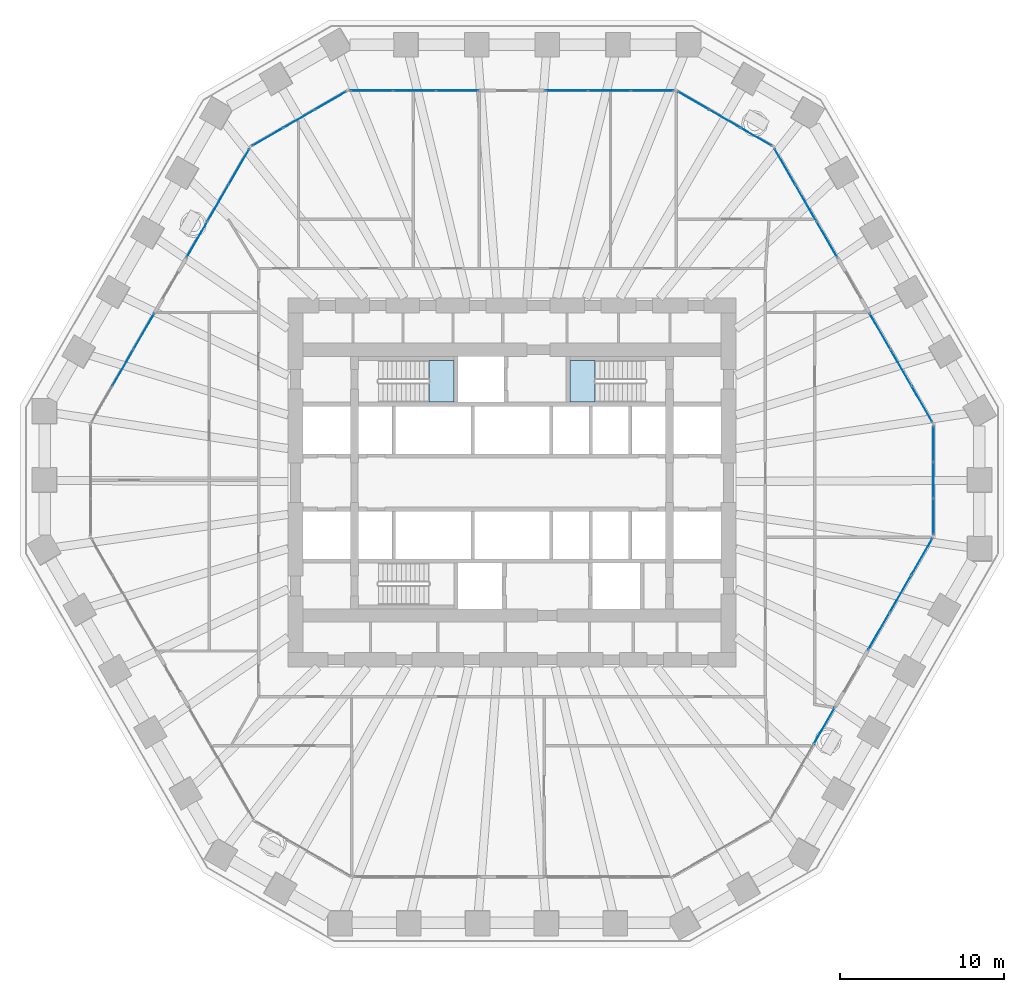
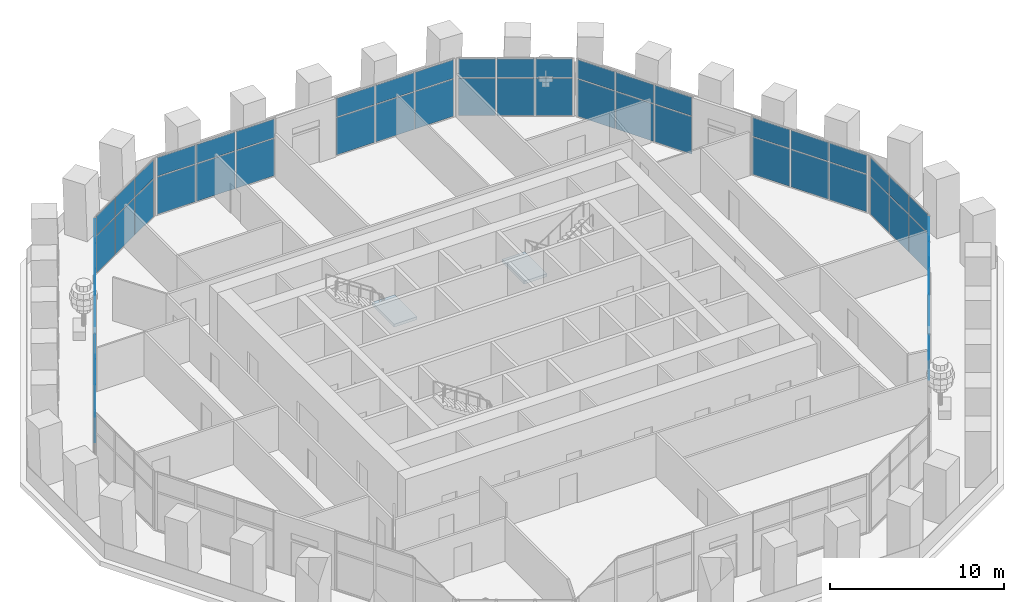
# One storey, part 10 of 18: 59 plates, 2 slabs, 13 elements without a shape of their own.
"""IFC4 building model written with IfcOpenShell, lengths in metres."""

from ifc_helpers import new_model, si_unit, direction, frame, origin, origin_2d, place, context, subcontext, project, spatial, polyline, rectangle, outline, extrude, material, layer, layer_set, type_object, element, aggregate, save


model = new_model("IFC4")

# Units and contexts
model_context = context("Model", 3, precision=1e-05, world=origin(), true_north=direction((0.0, 1.0)))
body_context = subcontext(model_context, "Body", "Model", "MODEL_VIEW")
ifc_project = project(units=[si_unit("LENGTHUNIT", "METRE"), si_unit("AREAUNIT", "SQUARE_METRE"), si_unit("VOLUMEUNIT", "CUBIC_METRE"), si_unit("PLANEANGLEUNIT", "RADIAN"), si_unit("MASSUNIT", "GRAM", prefix="KILO")], contexts=[model_context])

# Site, building, storey
site_placement = place(None, origin())
site = spatial("IfcSite", under=ifc_project, at=site_placement, CompositionType="ELEMENT")
building_placement = place(site_placement, origin())
building = spatial("IfcBuilding", under=site, at=building_placement, Name="Frailejon Research Tower", CompositionType="ELEMENT")
storey_placement = place(building_placement, frame((0.0, 0.0, 19.0)))
storey = spatial("IfcBuildingStorey", under=building, at=storey_placement, Name="L04", CompositionType="ELEMENT", Elevation=19.0)

# Curtain wall, plates
ifc_material_1 = material(Name="Aluminium curtain wall", Category="aluminium")
curtain_wall_type = type_object("IfcCurtainWallType", Name="Base zone unitised curtain wall system", PredefinedType="NOTDEFINED", material=ifc_material_1)
curtain_wall_1_placement = place(storey_placement, origin())
curtain_wall_1 = element("IfcCurtainWall", 1, at=curtain_wall_1_placement, inside=storey, type_object=curtain_wall_type, Name="Curtain wall L04", PredefinedType="NOTDEFINED")
ifc_material_2 = material(Name="Clear laminated glass", Category="glass")
ifc_layer_1 = layer(ifc_material_2, 0.028076171875)
ifc_layer_set_1 = layer_set([ifc_layer_1], Name="Base zone unitised curtain wall glass panel 28")
plate_type = type_object("IfcPlateType", Name="Base zone unitised curtain wall glass panel 28", PredefinedType="CURTAIN_PANEL", material=ifc_layer_set_1)
plate_1_placement = place(storey_placement, frame((25.692626953125, -2.071533203125, 0.06005859375), z_axis=(0.0, 0.0, 1.0), x_axis=(0.0, 1.0, 0.0)))
plate_1 = element("IfcPlate", 2, at=plate_1_placement, type_object=plate_type, Name="CW3-063 panel 1.1", PredefinedType="CURTAIN_PANEL", context=body_context, shape_type="SweptSolid", body=[
    extrude(rectangle(XDim=2.134765625, YDim=0.028076171875, at=origin_2d()), origin(), (0.0, 0.0, 1.0), 2.610107421875),
])
plate_2_placement = place(storey_placement, frame((25.692626953125, -2.071533203125, 2.72998046875), z_axis=(0.0, 0.0, 1.0), x_axis=(0.0, 1.0, 0.0)))
plate_2 = element("IfcPlate", 3, at=plate_2_placement, type_object=plate_type, Name="CW3-063 panel 1.2", PredefinedType="CURTAIN_PANEL", context=body_context, shape_type="SweptSolid", body=[
    extrude(rectangle(XDim=2.134765625, YDim=0.028076171875, at=origin_2d()), origin(), (0.0, 0.0, 1.0), 1.31005859375),
])
plate_3_placement = place(storey_placement, frame((25.692626953125, 0.13818359375, 0.06005859375), z_axis=(0.0, 0.0, 1.0), x_axis=(0.0, 1.0, 0.0)))
plate_3 = element("IfcPlate", 4, at=plate_3_placement, type_object=plate_type, Name="CW3-063 panel 2.1", PredefinedType="CURTAIN_PANEL", context=body_context, shape_type="SweptSolid", body=[
    extrude(rectangle(XDim=2.164794921875, YDim=0.028076171875, at=origin_2d()), origin(), (0.0, 0.0, 1.0), 2.610107421875),
])
plate_4_placement = place(storey_placement, frame((25.692626953125, 0.13818359375, 2.72998046875), z_axis=(0.0, 0.0, 1.0), x_axis=(0.0, 1.0, 0.0)))
plate_4 = element("IfcPlate", 5, at=plate_4_placement, type_object=plate_type, Name="CW3-063 panel 2.2", PredefinedType="CURTAIN_PANEL", context=body_context, shape_type="SweptSolid", body=[
    extrude(rectangle(XDim=2.164794921875, YDim=0.028076171875, at=origin_2d()), origin(), (0.0, 0.0, 1.0), 1.31005859375),
])
plate_5_placement = place(storey_placement, frame((25.692626953125, 2.34814453125, 0.06005859375), z_axis=(0.0, 0.0, 1.0), x_axis=(0.0, 1.0, 0.0)))
plate_5 = element("IfcPlate", 6, at=plate_5_placement, type_object=plate_type, Name="CW3-063 panel 3.1", PredefinedType="CURTAIN_PANEL", context=body_context, shape_type="SweptSolid", body=[
    extrude(rectangle(XDim=2.134765625, YDim=0.028076171875, at=origin_2d()), origin(), (0.0, 0.0, 1.0), 2.610107421875),
])
plate_6_placement = place(storey_placement, frame((25.692626953125, 2.34814453125, 2.72998046875), z_axis=(0.0, 0.0, 1.0), x_axis=(0.0, 1.0, 0.0)))
plate_6 = element("IfcPlate", 7, at=plate_6_placement, type_object=plate_type, Name="CW3-063 panel 3.2", PredefinedType="CURTAIN_PANEL", context=body_context, shape_type="SweptSolid", body=[
    extrude(rectangle(XDim=2.134765625, YDim=0.028076171875, at=origin_2d()), origin(), (0.0, 0.0, 1.0), 1.31005859375),
])
aggregate(curtain_wall_1, [plate_1, plate_2, plate_3, plate_4, plate_5, plate_6])

curtain_wall_2_placement = place(storey_placement, origin())
curtain_wall_2 = element("IfcCurtainWall", 8, at=curtain_wall_2_placement, inside=storey, type_object=curtain_wall_type, Name="Curtain wall L04", PredefinedType="NOTDEFINED")
plate_7_placement = place(storey_placement, frame((24.993408203125, 4.78662109375, 0.06005859375), z_axis=(0.0, 0.0, 1.0), x_axis=(-0.50000125994, 0.866024676356, 0.0)))
plate_7 = element("IfcPlate", 9, at=plate_7_placement, type_object=plate_type, Name="CW3-064 panel 1.1", PredefinedType="CURTAIN_PANEL", context=body_context, shape_type="SweptSolid", body=[
    extrude(rectangle(XDim=2.4765625, YDim=0.028076171875, at=origin_2d()), origin(), (0.0, 0.0, 1.0), 2.610107421875),
])
plate_8_placement = place(storey_placement, frame((24.993408203125, 4.78662109375, 2.72998046875), z_axis=(0.0, 0.0, 1.0), x_axis=(-0.50000125994, 0.866024676356, 0.0)))
plate_8 = element("IfcPlate", 10, at=plate_8_placement, type_object=plate_type, Name="CW3-064 panel 1.2", PredefinedType="CURTAIN_PANEL", context=body_context, shape_type="SweptSolid", body=[
    extrude(rectangle(XDim=2.4765625, YDim=0.028076171875, at=origin_2d()), origin(), (0.0, 0.0, 1.0), 1.31005859375),
])
plate_9_placement = place(storey_placement, frame((23.717529296875, 6.996337890625, 0.06005859375), z_axis=(0.0, 0.0, 1.0), x_axis=(-0.50000125994, 0.866024676356, 0.0)))
plate_9 = element("IfcPlate", 11, at=plate_9_placement, type_object=plate_type, Name="CW3-064 panel 2.1", PredefinedType="CURTAIN_PANEL", context=body_context, shape_type="SweptSolid", body=[
    extrude(rectangle(XDim=2.506591796875, YDim=0.028076171875, at=origin_2d()), origin(), (0.0, 0.0, 1.0), 2.610107421875),
])
plate_10_placement = place(storey_placement, frame((23.717529296875, 6.996337890625, 2.72998046875), z_axis=(0.0, 0.0, 1.0), x_axis=(-0.50000125994, 0.866024676356, 0.0)))
plate_10 = element("IfcPlate", 12, at=plate_10_placement, type_object=plate_type, Name="CW3-064 panel 2.2", PredefinedType="CURTAIN_PANEL", context=body_context, shape_type="SweptSolid", body=[
    extrude(rectangle(XDim=2.506591796875, YDim=0.028076171875, at=origin_2d()), origin(), (0.0, 0.0, 1.0), 1.31005859375),
])
plate_11_placement = place(storey_placement, frame((22.44189453125, 9.2060546875, 0.06005859375), z_axis=(0.0, 0.0, 1.0), x_axis=(-0.50000125994, 0.866024676356, 0.0)))
plate_11 = element("IfcPlate", 13, at=plate_11_placement, type_object=plate_type, Name="CW3-064 panel 3.1", PredefinedType="CURTAIN_PANEL", context=body_context, shape_type="SweptSolid", body=[
    extrude(rectangle(XDim=2.4765625, YDim=0.028076171875, at=origin_2d()), origin(), (0.0, 0.0, 1.0), 2.610107421875),
])
plate_12_placement = place(storey_placement, frame((22.44189453125, 9.2060546875, 2.72998046875), z_axis=(0.0, 0.0, 1.0), x_axis=(-0.50000125994, 0.866024676356, 0.0)))
plate_12 = element("IfcPlate", 14, at=plate_12_placement, type_object=plate_type, Name="CW3-064 panel 3.2", PredefinedType="CURTAIN_PANEL", context=body_context, shape_type="SweptSolid", body=[
    extrude(rectangle(XDim=2.4765625, YDim=0.028076171875, at=origin_2d()), origin(), (0.0, 0.0, 1.0), 1.31005859375),
])
aggregate(curtain_wall_2, [plate_7, plate_8, plate_9, plate_10, plate_11, plate_12])

curtain_wall_3_placement = place(storey_placement, origin())
curtain_wall_3 = element("IfcCurtainWall", 15, at=curtain_wall_3_placement, inside=storey, type_object=curtain_wall_type, Name="Curtain wall L04", PredefinedType="NOTDEFINED")
plate_13_placement = place(storey_placement, frame((19.193603515625, 14.832275390625, 0.06005859375), z_axis=(0.0, 0.0, 1.0), x_axis=(-0.49999563628, 0.866027923165, 0.0)))
plate_13 = element("IfcPlate", 16, at=plate_13_placement, type_object=plate_type, Name="CW3-065 panel 1.1", PredefinedType="CURTAIN_PANEL", context=body_context, shape_type="SweptSolid", body=[
    extrude(rectangle(XDim=2.4765625, YDim=0.028076171875, at=origin_2d()), origin(), (0.0, 0.0, 1.0), 2.610107421875),
])
plate_14_placement = place(storey_placement, frame((19.193603515625, 14.832275390625, 2.72998046875), z_axis=(0.0, 0.0, 1.0), x_axis=(-0.49999563628, 0.866027923165, 0.0)))
plate_14 = element("IfcPlate", 17, at=plate_14_placement, type_object=plate_type, Name="CW3-065 panel 1.2", PredefinedType="CURTAIN_PANEL", context=body_context, shape_type="SweptSolid", body=[
    extrude(rectangle(XDim=2.4765625, YDim=0.028076171875, at=origin_2d()), origin(), (0.0, 0.0, 1.0), 1.31005859375),
])
plate_15_placement = place(storey_placement, frame((17.91796875, 17.0419921875, 0.06005859375), z_axis=(0.0, 0.0, 1.0), x_axis=(-0.49999563628, 0.866027923165, 0.0)))
plate_15 = element("IfcPlate", 18, at=plate_15_placement, type_object=plate_type, Name="CW3-065 panel 2.1", PredefinedType="CURTAIN_PANEL", context=body_context, shape_type="SweptSolid", body=[
    extrude(rectangle(XDim=2.506591796875, YDim=0.028076171875, at=origin_2d()), origin(), (0.0, 0.0, 1.0), 2.610107421875),
])
plate_16_placement = place(storey_placement, frame((17.91796875, 17.0419921875, 2.72998046875), z_axis=(0.0, 0.0, 1.0), x_axis=(-0.49999563628, 0.866027923165, 0.0)))
plate_16 = element("IfcPlate", 19, at=plate_16_placement, type_object=plate_type, Name="CW3-065 panel 2.2", PredefinedType="CURTAIN_PANEL", context=body_context, shape_type="SweptSolid", body=[
    extrude(rectangle(XDim=2.506591796875, YDim=0.028076171875, at=origin_2d()), origin(), (0.0, 0.0, 1.0), 1.31005859375),
])
plate_17_placement = place(storey_placement, frame((16.64208984375, 19.251708984375, 0.06005859375), z_axis=(0.0, 0.0, 1.0), x_axis=(-0.49999563628, 0.866027923165, 0.0)))
plate_17 = element("IfcPlate", 20, at=plate_17_placement, type_object=plate_type, Name="CW3-065 panel 3.1", PredefinedType="CURTAIN_PANEL", context=body_context, shape_type="SweptSolid", body=[
    extrude(rectangle(XDim=2.4765625, YDim=0.028076171875, at=origin_2d()), origin(), (0.0, 0.0, 1.0), 2.610107421875),
])
plate_18_placement = place(storey_placement, frame((16.64208984375, 19.251708984375, 2.72998046875), z_axis=(0.0, 0.0, 1.0), x_axis=(-0.49999563628, 0.866027923165, 0.0)))
plate_18 = element("IfcPlate", 21, at=plate_18_placement, type_object=plate_type, Name="CW3-065 panel 3.2", PredefinedType="CURTAIN_PANEL", context=body_context, shape_type="SweptSolid", body=[
    extrude(rectangle(XDim=2.4765625, YDim=0.028076171875, at=origin_2d()), origin(), (0.0, 0.0, 1.0), 1.31005859375),
])
aggregate(curtain_wall_3, [plate_13, plate_14, plate_15, plate_16, plate_17, plate_18])

curtain_wall_4_placement = place(storey_placement, origin())
curtain_wall_4 = element("IfcCurtainWall", 22, at=curtain_wall_4_placement, inside=storey, type_object=curtain_wall_type, Name="Curtain wall L04", PredefinedType="NOTDEFINED")
plate_19_placement = place(storey_placement, frame((14.8798828125, 21.076416015625, 0.06005859375), z_axis=(0.0, 0.0, 1.0), x_axis=(-0.866026409075, 0.499998258782, 0.0)))
plate_19 = element("IfcPlate", 23, at=plate_19_placement, type_object=plate_type, Name="CW3-066 panel 1.1", PredefinedType="CURTAIN_PANEL", context=body_context, shape_type="SweptSolid", body=[
    extrude(rectangle(XDim=2.134765625, YDim=0.028076171875, at=origin_2d()), origin(), (0.0, 0.0, 1.0), 2.610107421875),
])
plate_20_placement = place(storey_placement, frame((14.8798828125, 21.076416015625, 2.72998046875), z_axis=(0.0, 0.0, 1.0), x_axis=(-0.866026409075, 0.499998258782, 0.0)))
plate_20 = element("IfcPlate", 24, at=plate_20_placement, type_object=plate_type, Name="CW3-066 panel 1.2", PredefinedType="CURTAIN_PANEL", context=body_context, shape_type="SweptSolid", body=[
    extrude(rectangle(XDim=2.134765625, YDim=0.028076171875, at=origin_2d()), origin(), (0.0, 0.0, 1.0), 1.31005859375),
])
plate_21_placement = place(storey_placement, frame((12.966064453125, 22.181396484375, 0.06005859375), z_axis=(0.0, 0.0, 1.0), x_axis=(-0.866026409075, 0.499998258782, 0.0)))
plate_21 = element("IfcPlate", 25, at=plate_21_placement, type_object=plate_type, Name="CW3-066 panel 2.1", PredefinedType="CURTAIN_PANEL", context=body_context, shape_type="SweptSolid", body=[
    extrude(rectangle(XDim=2.164794921875, YDim=0.028076171875, at=origin_2d()), origin(), (0.0, 0.0, 1.0), 2.610107421875),
])
plate_22_placement = place(storey_placement, frame((12.966064453125, 22.181396484375, 2.72998046875), z_axis=(0.0, 0.0, 1.0), x_axis=(-0.866026409075, 0.499998258782, 0.0)))
plate_22 = element("IfcPlate", 26, at=plate_22_placement, type_object=plate_type, Name="CW3-066 panel 2.2", PredefinedType="CURTAIN_PANEL", context=body_context, shape_type="SweptSolid", body=[
    extrude(rectangle(XDim=2.164794921875, YDim=0.028076171875, at=origin_2d()), origin(), (0.0, 0.0, 1.0), 1.31005859375),
])
plate_23_placement = place(storey_placement, frame((11.05224609375, 23.286376953125, 0.06005859375), z_axis=(0.0, 0.0, 1.0), x_axis=(-0.866026409075, 0.499998258782, 0.0)))
plate_23 = element("IfcPlate", 27, at=plate_23_placement, type_object=plate_type, Name="CW3-066 panel 3.1", PredefinedType="CURTAIN_PANEL", context=body_context, shape_type="SweptSolid", body=[
    extrude(rectangle(XDim=2.134765625, YDim=0.028076171875, at=origin_2d()), origin(), (0.0, 0.0, 1.0), 2.610107421875),
])
plate_24_placement = place(storey_placement, frame((11.05224609375, 23.286376953125, 2.72998046875), z_axis=(0.0, 0.0, 1.0), x_axis=(-0.866026409075, 0.499998258782, 0.0)))
plate_24 = element("IfcPlate", 28, at=plate_24_placement, type_object=plate_type, Name="CW3-066 panel 3.2", PredefinedType="CURTAIN_PANEL", context=body_context, shape_type="SweptSolid", body=[
    extrude(rectangle(XDim=2.134765625, YDim=0.028076171875, at=origin_2d()), origin(), (0.0, 0.0, 1.0), 1.31005859375),
])
aggregate(curtain_wall_4, [plate_19, plate_20, plate_21, plate_22, plate_23, plate_24])

curtain_wall_5_placement = place(storey_placement, origin())
curtain_wall_5 = element("IfcCurtainWall", 29, at=curtain_wall_5_placement, inside=storey, type_object=curtain_wall_type, Name="Curtain wall L04", PredefinedType="NOTDEFINED")
plate_25_placement = place(storey_placement, frame((8.55908203125, 23.89990234375, 0.06005859375), z_axis=(0.0, 0.0, 1.0), x_axis=(-1.0, 0.0, 0.0)))
plate_25 = element("IfcPlate", 30, at=plate_25_placement, type_object=plate_type, Name="CW3-067 panel 1.1", PredefinedType="CURTAIN_PANEL", context=body_context, shape_type="SweptSolid", body=[
    extrude(rectangle(XDim=2.54052734375, YDim=0.028076171875, at=origin_2d()), origin(), (0.0, 0.0, 1.0), 2.610107421875),
])
plate_26_placement = place(storey_placement, frame((8.55908203125, 23.89990234375, 2.72998046875), z_axis=(0.0, 0.0, 1.0), x_axis=(-1.0, 0.0, 0.0)))
plate_26 = element("IfcPlate", 31, at=plate_26_placement, type_object=plate_type, Name="CW3-067 panel 1.2", PredefinedType="CURTAIN_PANEL", context=body_context, shape_type="SweptSolid", body=[
    extrude(rectangle(XDim=2.54052734375, YDim=0.028076171875, at=origin_2d()), origin(), (0.0, 0.0, 1.0), 1.31005859375),
])
plate_27_placement = place(storey_placement, frame((5.943603515625, 23.89990234375, 0.06005859375), z_axis=(0.0, 0.0, 1.0), x_axis=(-1.0, 0.0, 0.0)))
plate_27 = element("IfcPlate", 32, at=plate_27_placement, type_object=plate_type, Name="CW3-067 panel 2.1", PredefinedType="CURTAIN_PANEL", context=body_context, shape_type="SweptSolid", body=[
    extrude(rectangle(XDim=2.570556640625, YDim=0.028076171875, at=origin_2d()), origin(), (0.0, 0.0, 1.0), 2.610107421875),
])
plate_28_placement = place(storey_placement, frame((5.943603515625, 23.89990234375, 2.72998046875), z_axis=(0.0, 0.0, 1.0), x_axis=(-1.0, 0.0, 0.0)))
plate_28 = element("IfcPlate", 33, at=plate_28_placement, type_object=plate_type, Name="CW3-067 panel 2.2", PredefinedType="CURTAIN_PANEL", context=body_context, shape_type="SweptSolid", body=[
    extrude(rectangle(XDim=2.570556640625, YDim=0.028076171875, at=origin_2d()), origin(), (0.0, 0.0, 1.0), 1.31005859375),
])
plate_29_placement = place(storey_placement, frame((3.328125, 23.89990234375, 0.06005859375), z_axis=(0.0, 0.0, 1.0), x_axis=(-1.0, 0.0, 0.0)))
plate_29 = element("IfcPlate", 34, at=plate_29_placement, type_object=plate_type, Name="CW3-067 panel 3.1", PredefinedType="CURTAIN_PANEL", context=body_context, shape_type="SweptSolid", body=[
    extrude(rectangle(XDim=2.54052734375, YDim=0.028076171875, at=origin_2d()), origin(), (0.0, 0.0, 1.0), 2.610107421875),
])
plate_30_placement = place(storey_placement, frame((3.328125, 23.89990234375, 2.72998046875), z_axis=(0.0, 0.0, 1.0), x_axis=(-1.0, 0.0, 0.0)))
plate_30 = element("IfcPlate", 35, at=plate_30_placement, type_object=plate_type, Name="CW3-067 panel 3.2", PredefinedType="CURTAIN_PANEL", context=body_context, shape_type="SweptSolid", body=[
    extrude(rectangle(XDim=2.54052734375, YDim=0.028076171875, at=origin_2d()), origin(), (0.0, 0.0, 1.0), 1.31005859375),
])
aggregate(curtain_wall_5, [plate_25, plate_26, plate_27, plate_28, plate_29, plate_30])

curtain_wall_6_placement = place(storey_placement, origin())
curtain_wall_6 = element("IfcCurtainWall", 36, at=curtain_wall_6_placement, inside=storey, type_object=curtain_wall_type, Name="Curtain wall L04", PredefinedType="NOTDEFINED")
plate_31_placement = place(storey_placement, frame((-3.328125, 23.89990234375, 0.06005859375), z_axis=(0.0, 0.0, 1.0), x_axis=(-1.0, 0.0, 0.0)))
plate_31 = element("IfcPlate", 37, at=plate_31_placement, type_object=plate_type, Name="CW3-068 panel 1.1", PredefinedType="CURTAIN_PANEL", context=body_context, shape_type="SweptSolid", body=[
    extrude(rectangle(XDim=2.54052734375, YDim=0.028076171875, at=origin_2d()), origin(), (0.0, 0.0, 1.0), 2.610107421875),
])
plate_32_placement = place(storey_placement, frame((-3.328125, 23.89990234375, 2.72998046875), z_axis=(0.0, 0.0, 1.0), x_axis=(-1.0, 0.0, 0.0)))
plate_32 = element("IfcPlate", 38, at=plate_32_placement, type_object=plate_type, Name="CW3-068 panel 1.2", PredefinedType="CURTAIN_PANEL", context=body_context, shape_type="SweptSolid", body=[
    extrude(rectangle(XDim=2.54052734375, YDim=0.028076171875, at=origin_2d()), origin(), (0.0, 0.0, 1.0), 1.31005859375),
])
plate_33_placement = place(storey_placement, frame((-5.943603515625, 23.89990234375, 0.06005859375), z_axis=(0.0, 0.0, 1.0), x_axis=(-1.0, 0.0, 0.0)))
plate_33 = element("IfcPlate", 39, at=plate_33_placement, type_object=plate_type, Name="CW3-068 panel 2.1", PredefinedType="CURTAIN_PANEL", context=body_context, shape_type="SweptSolid", body=[
    extrude(rectangle(XDim=2.570556640625, YDim=0.028076171875, at=origin_2d()), origin(), (0.0, 0.0, 1.0), 2.610107421875),
])
plate_34_placement = place(storey_placement, frame((-5.943603515625, 23.89990234375, 2.72998046875), z_axis=(0.0, 0.0, 1.0), x_axis=(-1.0, 0.0, 0.0)))
plate_34 = element("IfcPlate", 40, at=plate_34_placement, type_object=plate_type, Name="CW3-068 panel 2.2", PredefinedType="CURTAIN_PANEL", context=body_context, shape_type="SweptSolid", body=[
    extrude(rectangle(XDim=2.570556640625, YDim=0.028076171875, at=origin_2d()), origin(), (0.0, 0.0, 1.0), 1.31005859375),
])
plate_35_placement = place(storey_placement, frame((-8.55908203125, 23.89990234375, 0.06005859375), z_axis=(0.0, 0.0, 1.0), x_axis=(-1.0, 0.0, 0.0)))
plate_35 = element("IfcPlate", 41, at=plate_35_placement, type_object=plate_type, Name="CW3-068 panel 3.1", PredefinedType="CURTAIN_PANEL", context=body_context, shape_type="SweptSolid", body=[
    extrude(rectangle(XDim=2.54052734375, YDim=0.028076171875, at=origin_2d()), origin(), (0.0, 0.0, 1.0), 2.610107421875),
])
plate_36_placement = place(storey_placement, frame((-8.55908203125, 23.89990234375, 2.72998046875), z_axis=(0.0, 0.0, 1.0), x_axis=(-1.0, 0.0, 0.0)))
plate_36 = element("IfcPlate", 42, at=plate_36_placement, type_object=plate_type, Name="CW3-068 panel 3.2", PredefinedType="CURTAIN_PANEL", context=body_context, shape_type="SweptSolid", body=[
    extrude(rectangle(XDim=2.54052734375, YDim=0.028076171875, at=origin_2d()), origin(), (0.0, 0.0, 1.0), 1.31005859375),
])
aggregate(curtain_wall_6, [plate_31, plate_32, plate_33, plate_34, plate_35, plate_36])

curtain_wall_7_placement = place(storey_placement, origin())
curtain_wall_7 = element("IfcCurtainWall", 43, at=curtain_wall_7_placement, inside=storey, type_object=curtain_wall_type, Name="Curtain wall L04", PredefinedType="NOTDEFINED")
plate_37_placement = place(storey_placement, frame((-11.05224609375, 23.286376953125, 0.06005859375), z_axis=(0.0, 0.0, 1.0), x_axis=(-0.866026409075, -0.499998258782, 0.0)))
plate_37 = element("IfcPlate", 44, at=plate_37_placement, type_object=plate_type, Name="CW3-069 panel 1.1", PredefinedType="CURTAIN_PANEL", context=body_context, shape_type="SweptSolid", body=[
    extrude(rectangle(XDim=2.134765625, YDim=0.028076171875, at=origin_2d()), origin(), (0.0, 0.0, 1.0), 2.610107421875),
])
plate_38_placement = place(storey_placement, frame((-11.05224609375, 23.286376953125, 2.72998046875), z_axis=(0.0, 0.0, 1.0), x_axis=(-0.866026409075, -0.499998258782, 0.0)))
plate_38 = element("IfcPlate", 45, at=plate_38_placement, type_object=plate_type, Name="CW3-069 panel 1.2", PredefinedType="CURTAIN_PANEL", context=body_context, shape_type="SweptSolid", body=[
    extrude(rectangle(XDim=2.134765625, YDim=0.028076171875, at=origin_2d()), origin(), (0.0, 0.0, 1.0), 1.31005859375),
])
plate_39_placement = place(storey_placement, frame((-12.966064453125, 22.181396484375, 0.06005859375), z_axis=(0.0, 0.0, 1.0), x_axis=(-0.866026409075, -0.499998258782, 0.0)))
plate_39 = element("IfcPlate", 46, at=plate_39_placement, type_object=plate_type, Name="CW3-069 panel 2.1", PredefinedType="CURTAIN_PANEL", context=body_context, shape_type="SweptSolid", body=[
    extrude(rectangle(XDim=2.164794921875, YDim=0.028076171875, at=origin_2d()), origin(), (0.0, 0.0, 1.0), 2.610107421875),
])
plate_40_placement = place(storey_placement, frame((-12.966064453125, 22.181396484375, 2.72998046875), z_axis=(0.0, 0.0, 1.0), x_axis=(-0.866026409075, -0.499998258782, 0.0)))
plate_40 = element("IfcPlate", 47, at=plate_40_placement, type_object=plate_type, Name="CW3-069 panel 2.2", PredefinedType="CURTAIN_PANEL", context=body_context, shape_type="SweptSolid", body=[
    extrude(rectangle(XDim=2.164794921875, YDim=0.028076171875, at=origin_2d()), origin(), (0.0, 0.0, 1.0), 1.31005859375),
])
plate_41_placement = place(storey_placement, frame((-14.8798828125, 21.076416015625, 0.06005859375), z_axis=(0.0, 0.0, 1.0), x_axis=(-0.866026409075, -0.499998258782, 0.0)))
plate_41 = element("IfcPlate", 48, at=plate_41_placement, type_object=plate_type, Name="CW3-069 panel 3.1", PredefinedType="CURTAIN_PANEL", context=body_context, shape_type="SweptSolid", body=[
    extrude(rectangle(XDim=2.134765625, YDim=0.028076171875, at=origin_2d()), origin(), (0.0, 0.0, 1.0), 2.610107421875),
])
plate_42_placement = place(storey_placement, frame((-14.8798828125, 21.076416015625, 2.72998046875), z_axis=(0.0, 0.0, 1.0), x_axis=(-0.866026409075, -0.499998258782, 0.0)))
plate_42 = element("IfcPlate", 49, at=plate_42_placement, type_object=plate_type, Name="CW3-069 panel 3.2", PredefinedType="CURTAIN_PANEL", context=body_context, shape_type="SweptSolid", body=[
    extrude(rectangle(XDim=2.134765625, YDim=0.028076171875, at=origin_2d()), origin(), (0.0, 0.0, 1.0), 1.31005859375),
])
aggregate(curtain_wall_7, [plate_37, plate_38, plate_39, plate_40, plate_41, plate_42])

curtain_wall_8_placement = place(storey_placement, origin())
curtain_wall_8 = element("IfcCurtainWall", 50, at=curtain_wall_8_placement, inside=storey, type_object=curtain_wall_type, Name="Curtain wall L04", PredefinedType="NOTDEFINED")
plate_43_placement = place(storey_placement, frame((-16.64208984375, 19.251708984375, 0.06005859375), z_axis=(0.0, 0.0, 1.0), x_axis=(-0.49999563628, -0.866027923165, 0.0)))
plate_43 = element("IfcPlate", 51, at=plate_43_placement, type_object=plate_type, Name="CW3-070 panel 1.1", PredefinedType="CURTAIN_PANEL", context=body_context, shape_type="SweptSolid", body=[
    extrude(rectangle(XDim=2.4765625, YDim=0.028076171875, at=origin_2d()), origin(), (0.0, 0.0, 1.0), 2.610107421875),
])
plate_44_placement = place(storey_placement, frame((-16.64208984375, 19.251708984375, 2.72998046875), z_axis=(0.0, 0.0, 1.0), x_axis=(-0.49999563628, -0.866027923165, 0.0)))
plate_44 = element("IfcPlate", 52, at=plate_44_placement, type_object=plate_type, Name="CW3-070 panel 1.2", PredefinedType="CURTAIN_PANEL", context=body_context, shape_type="SweptSolid", body=[
    extrude(rectangle(XDim=2.4765625, YDim=0.028076171875, at=origin_2d()), origin(), (0.0, 0.0, 1.0), 1.31005859375),
])
plate_45_placement = place(storey_placement, frame((-17.91796875, 17.0419921875, 0.06005859375), z_axis=(0.0, 0.0, 1.0), x_axis=(-0.49999563628, -0.866027923165, 0.0)))
plate_45 = element("IfcPlate", 53, at=plate_45_placement, type_object=plate_type, Name="CW3-070 panel 2.1", PredefinedType="CURTAIN_PANEL", context=body_context, shape_type="SweptSolid", body=[
    extrude(rectangle(XDim=2.506591796875, YDim=0.028076171875, at=origin_2d()), origin(), (0.0, 0.0, 1.0), 2.610107421875),
])
plate_46_placement = place(storey_placement, frame((-17.91796875, 17.0419921875, 2.72998046875), z_axis=(0.0, 0.0, 1.0), x_axis=(-0.49999563628, -0.866027923165, 0.0)))
plate_46 = element("IfcPlate", 54, at=plate_46_placement, type_object=plate_type, Name="CW3-070 panel 2.2", PredefinedType="CURTAIN_PANEL", context=body_context, shape_type="SweptSolid", body=[
    extrude(rectangle(XDim=2.506591796875, YDim=0.028076171875, at=origin_2d()), origin(), (0.0, 0.0, 1.0), 1.31005859375),
])
plate_47_placement = place(storey_placement, frame((-19.193603515625, 14.832275390625, 0.06005859375), z_axis=(0.0, 0.0, 1.0), x_axis=(-0.49999563628, -0.866027923165, 0.0)))
plate_47 = element("IfcPlate", 55, at=plate_47_placement, type_object=plate_type, Name="CW3-070 panel 3.1", PredefinedType="CURTAIN_PANEL", context=body_context, shape_type="SweptSolid", body=[
    extrude(rectangle(XDim=2.4765625, YDim=0.028076171875, at=origin_2d()), origin(), (0.0, 0.0, 1.0), 2.610107421875),
])
plate_48_placement = place(storey_placement, frame((-19.193603515625, 14.832275390625, 2.72998046875), z_axis=(0.0, 0.0, 1.0), x_axis=(-0.49999563628, -0.866027923165, 0.0)))
plate_48 = element("IfcPlate", 56, at=plate_48_placement, type_object=plate_type, Name="CW3-070 panel 3.2", PredefinedType="CURTAIN_PANEL", context=body_context, shape_type="SweptSolid", body=[
    extrude(rectangle(XDim=2.4765625, YDim=0.028076171875, at=origin_2d()), origin(), (0.0, 0.0, 1.0), 1.31005859375),
])
aggregate(curtain_wall_8, [plate_43, plate_44, plate_45, plate_46, plate_47, plate_48])

curtain_wall_9_placement = place(storey_placement, origin())
curtain_wall_9 = element("IfcCurtainWall", 57, at=curtain_wall_9_placement, inside=storey, type_object=curtain_wall_type, Name="Curtain wall L04", PredefinedType="NOTDEFINED")
plate_49_placement = place(storey_placement, frame((-22.44189453125, 9.2060546875, 0.06005859375), z_axis=(0.0, 0.0, 1.0), x_axis=(-0.50000125994, -0.866024676356, 0.0)))
plate_49 = element("IfcPlate", 58, at=plate_49_placement, type_object=plate_type, Name="CW3-071 panel 1.1", PredefinedType="CURTAIN_PANEL", context=body_context, shape_type="SweptSolid", body=[
    extrude(rectangle(XDim=2.4765625, YDim=0.028076171875, at=origin_2d()), origin(), (0.0, 0.0, 1.0), 2.610107421875),
])
plate_50_placement = place(storey_placement, frame((-22.44189453125, 9.2060546875, 2.72998046875), z_axis=(0.0, 0.0, 1.0), x_axis=(-0.50000125994, -0.866024676356, 0.0)))
plate_50 = element("IfcPlate", 59, at=plate_50_placement, type_object=plate_type, Name="CW3-071 panel 1.2", PredefinedType="CURTAIN_PANEL", context=body_context, shape_type="SweptSolid", body=[
    extrude(rectangle(XDim=2.4765625, YDim=0.028076171875, at=origin_2d()), origin(), (0.0, 0.0, 1.0), 1.31005859375),
])
plate_51_placement = place(storey_placement, frame((-23.717529296875, 6.996337890625, 0.06005859375), z_axis=(0.0, 0.0, 1.0), x_axis=(-0.50000125994, -0.866024676356, 0.0)))
plate_51 = element("IfcPlate", 60, at=plate_51_placement, type_object=plate_type, Name="CW3-071 panel 2.1", PredefinedType="CURTAIN_PANEL", context=body_context, shape_type="SweptSolid", body=[
    extrude(rectangle(XDim=2.506591796875, YDim=0.028076171875, at=origin_2d()), origin(), (0.0, 0.0, 1.0), 2.610107421875),
])
plate_52_placement = place(storey_placement, frame((-23.717529296875, 6.996337890625, 2.72998046875), z_axis=(0.0, 0.0, 1.0), x_axis=(-0.50000125994, -0.866024676356, 0.0)))
plate_52 = element("IfcPlate", 61, at=plate_52_placement, type_object=plate_type, Name="CW3-071 panel 2.2", PredefinedType="CURTAIN_PANEL", context=body_context, shape_type="SweptSolid", body=[
    extrude(rectangle(XDim=2.506591796875, YDim=0.028076171875, at=origin_2d()), origin(), (0.0, 0.0, 1.0), 1.31005859375),
])
aggregate(curtain_wall_9, [plate_49, plate_50, plate_51, plate_52])

# Curtain wall, plate
curtain_wall_10_placement = place(storey_placement, origin())
curtain_wall_10 = element("IfcCurtainWall", 62, at=curtain_wall_10_placement, inside=storey, type_object=curtain_wall_type, Name="Curtain wall L04", PredefinedType="NOTDEFINED")
plate_53_placement = place(storey_placement, frame((19.033935546875, -14.832275390625, 2.72998046875), z_axis=(0.0, 0.0, 1.0), x_axis=(0.499997414004, 0.866026896805, 0.0)))
plate_53 = element("IfcPlate", 63, at=plate_53_placement, type_object=plate_type, Name="CW3-079 panel 3.2", PredefinedType="CURTAIN_PANEL", context=body_context, shape_type="SweptSolid", body=[
    extrude(rectangle(XDim=2.54052734375, YDim=0.028076171875, at=origin_2d()), origin(), (0.0, 0.0, 1.0), 1.31005859375),
])
aggregate(curtain_wall_10, [plate_53])

# Curtain wall, plates
curtain_wall_11_placement = place(storey_placement, origin())
curtain_wall_11 = element("IfcCurtainWall", 64, at=curtain_wall_11_placement, inside=storey, type_object=curtain_wall_type, Name="Curtain wall L04", PredefinedType="NOTDEFINED")
plate_54_placement = place(storey_placement, frame((22.362060546875, -9.06787109375, 0.06005859375), z_axis=(0.0, 0.0, 1.0), x_axis=(0.499997414004, 0.866026896805, 0.0)))
plate_54 = element("IfcPlate", 65, at=plate_54_placement, type_object=plate_type, Name="CW3-080 panel 1.1", PredefinedType="CURTAIN_PANEL", context=body_context, shape_type="SweptSolid", body=[
    extrude(rectangle(XDim=2.54052734375, YDim=0.028076171875, at=origin_2d()), origin(), (0.0, 0.0, 1.0), 2.610107421875),
])
plate_55_placement = place(storey_placement, frame((22.362060546875, -9.06787109375, 2.72998046875), z_axis=(0.0, 0.0, 1.0), x_axis=(0.499997414004, 0.866026896805, 0.0)))
plate_55 = element("IfcPlate", 66, at=plate_55_placement, type_object=plate_type, Name="CW3-080 panel 1.2", PredefinedType="CURTAIN_PANEL", context=body_context, shape_type="SweptSolid", body=[
    extrude(rectangle(XDim=2.54052734375, YDim=0.028076171875, at=origin_2d()), origin(), (0.0, 0.0, 1.0), 1.31005859375),
])
plate_56_placement = place(storey_placement, frame((23.669677734375, -6.802734375, 0.06005859375), z_axis=(0.0, 0.0, 1.0), x_axis=(0.499997414004, 0.866026896805, 0.0)))
plate_56 = element("IfcPlate", 67, at=plate_56_placement, type_object=plate_type, Name="CW3-080 panel 2.1", PredefinedType="CURTAIN_PANEL", context=body_context, shape_type="SweptSolid", body=[
    extrude(rectangle(XDim=2.570556640625, YDim=0.028076171875, at=origin_2d()), origin(), (0.0, 0.0, 1.0), 2.610107421875),
])
plate_57_placement = place(storey_placement, frame((23.669677734375, -6.802734375, 2.72998046875), z_axis=(0.0, 0.0, 1.0), x_axis=(0.499997414004, 0.866026896805, 0.0)))
plate_57 = element("IfcPlate", 68, at=plate_57_placement, type_object=plate_type, Name="CW3-080 panel 2.2", PredefinedType="CURTAIN_PANEL", context=body_context, shape_type="SweptSolid", body=[
    extrude(rectangle(XDim=2.570556640625, YDim=0.028076171875, at=origin_2d()), origin(), (0.0, 0.0, 1.0), 1.31005859375),
])
plate_58_placement = place(storey_placement, frame((24.9775390625, -4.53759765625, 0.06005859375), z_axis=(0.0, 0.0, 1.0), x_axis=(0.499997414004, 0.866026896805, 0.0)))
plate_58 = element("IfcPlate", 69, at=plate_58_placement, type_object=plate_type, Name="CW3-080 panel 3.1", PredefinedType="CURTAIN_PANEL", context=body_context, shape_type="SweptSolid", body=[
    extrude(rectangle(XDim=2.54052734375, YDim=0.028076171875, at=origin_2d()), origin(), (0.0, 0.0, 1.0), 2.610107421875),
])
plate_59_placement = place(storey_placement, frame((24.9775390625, -4.53759765625, 2.72998046875), z_axis=(0.0, 0.0, 1.0), x_axis=(0.499997414004, 0.866026896805, 0.0)))
plate_59 = element("IfcPlate", 70, at=plate_59_placement, type_object=plate_type, Name="CW3-080 panel 3.2", PredefinedType="CURTAIN_PANEL", context=body_context, shape_type="SweptSolid", body=[
    extrude(rectangle(XDim=2.54052734375, YDim=0.028076171875, at=origin_2d()), origin(), (0.0, 0.0, 1.0), 1.31005859375),
])
aggregate(curtain_wall_11, [plate_54, plate_55, plate_56, plate_57, plate_58, plate_59])

# Stair, slab
ifc_material_3 = material(Name="Concrete C50/60", Category="concrete")
stair_type = type_object("IfcStairType", Name="Exit stair 24 risers", PredefinedType="HALF_TURN_STAIR", material=ifc_material_3)
stair_1_placement = place(storey_placement, origin())
stair_1 = element("IfcStair", 71, at=stair_1_placement, inside=storey, type_object=stair_type, Name="L04 Exit stair ST1", PredefinedType="HALF_TURN_STAIR")
ifc_material_4 = material(Name="Concrete C50/60", Category="concrete")
ifc_layer_2 = layer(ifc_material_4, 0.199951171875)
ifc_layer_set_2 = layer_set([ifc_layer_2], Name="Stair landing slab 200")
slab_type = type_object("IfcSlabType", Name="Stair landing slab 200", PredefinedType="LANDING", material=ifc_layer_set_2)
slab_1_placement = place(storey_placement, frame((0.0, 0.0, 2.0)))
slab_1 = element("IfcSlab", 72, at=slab_1_placement, type_object=slab_type, Name="ST1 landing 1", PredefinedType="LANDING", context=body_context, shape_type="SweptSolid", body=[
    extrude(outline(polyline([(-5.070068359375, 4.89990234375), (-3.550048828125, 4.89990234375), (-3.550048828125, 7.449951171875), (-5.070068359375, 7.449951171875), (-5.070068359375, 4.89990234375)])), origin(), (0.0, 0.0, 1.0), 0.199951171875),
])
aggregate(stair_1, [slab_1])

stair_2_placement = place(storey_placement, origin())
stair_2 = element("IfcStair", 73, at=stair_2_placement, inside=storey, type_object=stair_type, Name="L04 Exit stair ST3", PredefinedType="HALF_TURN_STAIR")
slab_2_placement = place(storey_placement, frame((0.0, 0.0, 2.0)))
slab_2 = element("IfcSlab", 74, at=slab_2_placement, type_object=slab_type, Name="ST3 landing 1", PredefinedType="LANDING", context=body_context, shape_type="SweptSolid", body=[
    extrude(outline(polyline([(5.070068359375, 7.449951171875), (3.550048828125, 7.449951171875), (3.550048828125, 4.89990234375), (5.070068359375, 4.89990234375), (5.070068359375, 7.449951171875)])), origin(), (0.0, 0.0, 1.0), 0.199951171875),
])
aggregate(stair_2, [slab_2])

save(model, "model.ifc")
